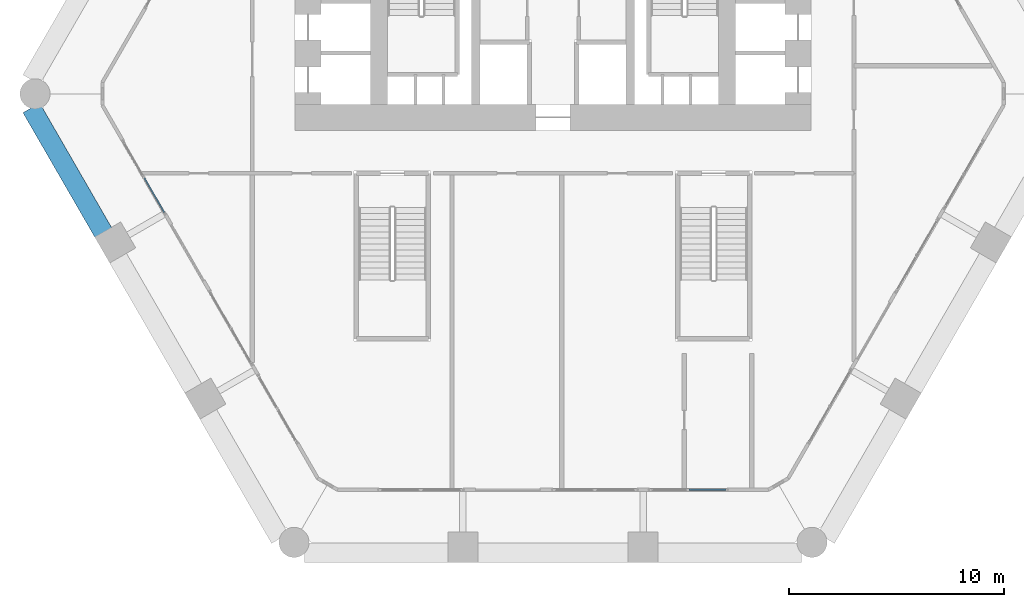
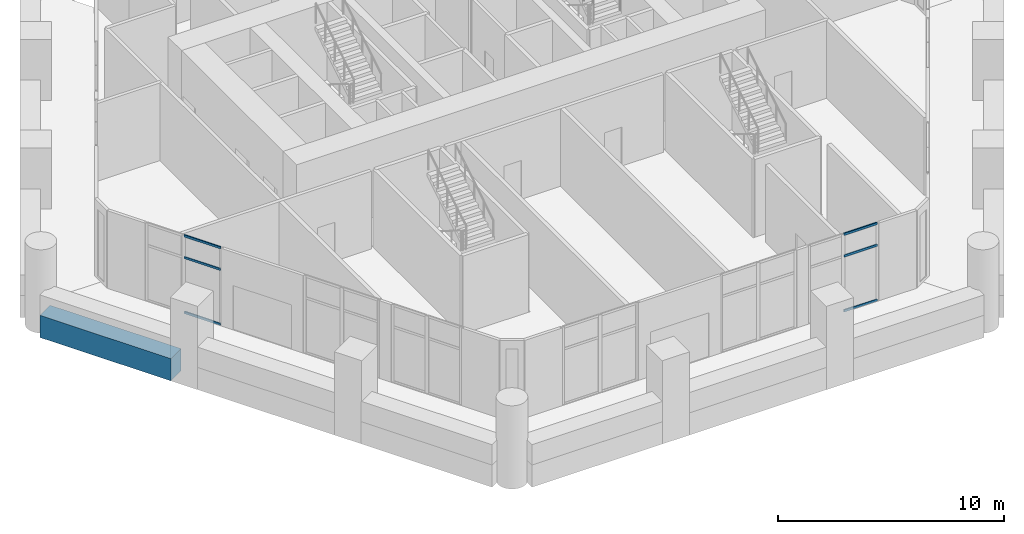
# One storey, part 4 of 18: 6 members, 1 beam, 2 elements without a shape of their own.
"""IFC4 building model written with IfcOpenShell, lengths in metres."""

import ifcopenshell
import ifcopenshell.guid

model = None  # the IFC model being written
_history = None  # IfcOwnerHistory: only IFC2X3 demands one
_inside = {}  # id of a spatial element -> (the spatial element, [elements in it])
_under = {}  # id of a project, library or spatial element -> (it, [spatial elements below it])
_declared = {}  # id of a project -> (the project, [libraries it declares])
_typed = {}  # id of a type object -> (the type object, [elements of that type])
_made_of = {}  # id of a material, layer set ... -> (it, [elements and type objects made of it])


def new_model(schema):
    """Start an empty IFC model of exactly this schema.

    Asked for "IFC4X3", IfcOpenShell would pick the latest addendum, in which some entities
    have other attributes; the version numbers below select the first issue.
    IFC2X3 requires an IfcOwnerHistory on every rooted entity: one is made here for all.
    """
    global model, _history
    if schema == "IFC4X3":
        model = ifcopenshell.file(schema_version=(4, 3, 0, 0))
    else:
        model = ifcopenshell.file(schema=schema)
    _inside.clear()
    _under.clear()
    _declared.clear()
    _typed.clear()
    _made_of.clear()
    _history = None
    if model.schema == "IFC2X3":
        org = make("IfcOrganization", Name="unknown")
        user = make(
            "IfcPersonAndOrganization",
            ThePerson=make("IfcPerson", FamilyName="unknown"),
            TheOrganization=org,
        )
        app = make(
            "IfcApplication",
            ApplicationDeveloper=org,
            Version="unknown",
            ApplicationFullName="unknown",
            ApplicationIdentifier="unknown",
        )
        _history = make(
            "IfcOwnerHistory",
            OwningUser=user,
            OwningApplication=app,
            ChangeAction="ADDED",
            CreationDate=0,
        )
    return model


def make(cls, **values):
    """One entity of the class cls with the attributes given. An attribute that is None is left unset."""
    return model.create_entity(
        cls, **{name: value for name, value in values.items() if value is not None}
    )


def rooted(cls, **values):
    """An entity with a GlobalId (a new one), such as an element, a storey or a relation."""
    return make(cls, GlobalId=ifcopenshell.guid.new(), OwnerHistory=_history, **values)


def si_unit(unit_type, name, prefix=None):
    """IfcSIUnit, for example si_unit("LENGTHUNIT", "METRE", prefix="MILLI")."""
    return make("IfcSIUnit", UnitType=unit_type, Prefix=prefix, Name=name)


def assignment(units):
    """IfcUnitAssignment: the units of a project."""
    return None if units is None else make("IfcUnitAssignment", Units=units)


def point(xyz):
    """IfcCartesianPoint."""
    return None if xyz is None else make("IfcCartesianPoint", Coordinates=xyz)


def direction(xyz):
    """IfcDirection."""
    return None if xyz is None else make("IfcDirection", DirectionRatios=xyz)


def frame(location, z_axis=None, x_axis=None):
    """IfcAxis2Placement3D, a coordinate frame: its origin and axes. An axis left out is left unset."""
    return make(
        "IfcAxis2Placement3D",
        Location=point(location),
        Axis=direction(z_axis),
        RefDirection=direction(x_axis),
    )


def frame_2d(location, x_axis=None):
    """IfcAxis2Placement2D, a coordinate frame in the plane: its origin and x axis."""
    return make(
        "IfcAxis2Placement2D", Location=point(location), RefDirection=direction(x_axis)
    )


def origin():
    """The frame at (0, 0, 0) with its axes left unset."""
    return frame((0.0, 0.0, 0.0))


def origin_2d():
    """The frame at (0, 0) in the plane with its x axis left unset."""
    return frame_2d((0.0, 0.0))


def place(relative_to, where):
    """IfcLocalPlacement: puts the frame where relative to a parent placement (None: the world)."""
    return make(
        "IfcLocalPlacement", PlacementRelTo=relative_to, RelativePlacement=where
    )


def context(
    kind, dimensions, precision=None, world=None, true_north=None, identifier=None
):
    """IfcGeometricRepresentationContext, for example the 3D "Model" context."""
    return make(
        "IfcGeometricRepresentationContext",
        ContextIdentifier=identifier,
        ContextType=kind,
        CoordinateSpaceDimension=dimensions,
        Precision=precision,
        WorldCoordinateSystem=world,
        TrueNorth=true_north,
    )


def subcontext(parent, identifier, kind, view, scale=None):
    """IfcGeometricRepresentationSubContext, for example "Body" below "Model"."""
    return make(
        "IfcGeometricRepresentationSubContext",
        ContextIdentifier=identifier,
        ContextType=kind,
        ParentContext=parent,
        TargetScale=scale,
        TargetView=view,
    )


def project(units=None, contexts=None):
    """IfcProject with its units and contexts."""
    return rooted(
        "IfcProject",
        Name="project",
        RepresentationContexts=contexts,
        UnitsInContext=assignment(units),
    )


def spatial(cls, under=None, at=None, **own):
    """A site, building, storey or space (cls), placed at a placement, below another one or the project."""
    s = rooted(cls, ObjectPlacement=at, **own)
    if under is not None:
        _under.setdefault(under.id(), (under, []))[1].append(s)
    return s


def profile(cls, at=None, kind="AREA", **sizes):
    """A parametric profile (cls). Its sizes go by their IFC names, for example OverallWidth=200.0."""
    return make(cls, ProfileType=kind, Position=at, **sizes)


def rectangle(**sizes):
    """IfcRectangleProfileDef."""
    return profile("IfcRectangleProfileDef", **sizes)


def hollow_rectangle(**sizes):
    """IfcRectangleHollowProfileDef."""
    return profile("IfcRectangleHollowProfileDef", **sizes)


def extrude(swept, where, along, depth):
    """IfcExtrudedAreaSolid: the profile swept, set in the frame where, extruded along a direction by depth."""
    return make(
        "IfcExtrudedAreaSolid",
        SweptArea=swept,
        Position=where,
        ExtrudedDirection=direction(along),
        Depth=depth,
    )


def shape(context_of_items, identifier, shape_type, items):
    """IfcShapeRepresentation: the items that make up one representation, for example the "Body"."""
    return make(
        "IfcShapeRepresentation",
        ContextOfItems=context_of_items,
        RepresentationIdentifier=identifier,
        RepresentationType=shape_type,
        Items=items,
    )


def material(Name=None, Category=None):
    """IfcMaterial."""
    return make("IfcMaterial", Name=Name, Category=Category)


def material_profile(
    of_material, cross_section, Name=None, Category=None, Priority=None
):
    """IfcMaterialProfile: a cross section and its material."""
    return make(
        "IfcMaterialProfile",
        Name=Name,
        Material=of_material,
        Profile=cross_section,
        Priority=Priority,
        Category=Category,
    )


def profile_set(profiles, Name=None, composite=None):
    """IfcMaterialProfileSet."""
    return make(
        "IfcMaterialProfileSet",
        Name=Name,
        MaterialProfiles=profiles,
        CompositeProfile=composite,
    )


def made_of(thing, what):
    """Note that an element or type object is made of a material, layer set ...; save() writes the relation."""
    if what is not None:
        _made_of.setdefault(what.id(), (what, []))[1].append(thing)
    return thing


def type_object(cls, material=None, **own):
    """A type object (cls), such as IfcWallType, which elements share."""
    return made_of(rooted(cls, **own), material)


def element(
    cls,
    number,
    at=None,
    inside=None,
    cuts=None,
    type_object=None,
    material=None,
    context=None,
    identifier="Body",
    shape_type=None,
    held_by="IfcProductDefinitionShape",
    body=None,
    shapes=None,
    **own,
):
    """One element of the class cls, such as IfcWall. Its Tag is "e" and its number.

    at: its placement. inside: the storey or other place that contains it. cuts: it is an
    opening in that element (IfcRelVoidsElement). A single representation is given by context,
    identifier, shape_type and body (its items); several are given by shapes. held_by: the class
    of the entity that holds the representations. save() writes the other relations.
    """
    e = rooted(cls, Tag="e%d" % number, ObjectPlacement=at, **own)
    if body is not None:
        shapes = [shape(context, identifier, shape_type, body)]
    if shapes is not None:
        e.Representation = make(held_by, Representations=shapes)
    if inside is not None:
        _inside.setdefault(inside.id(), (inside, []))[1].append(e)
    if cuts is not None:
        rooted(
            "IfcRelVoidsElement", RelatingBuildingElement=cuts, RelatedOpeningElement=e
        )
    if type_object is not None:
        _typed.setdefault(type_object.id(), (type_object, []))[1].append(e)
    return made_of(e, material)


def aggregate(whole, parts):
    """IfcRelAggregates: a whole, such as a stair, and the parts it consists of."""
    return rooted("IfcRelAggregates", RelatingObject=whole, RelatedObjects=parts)


def save(model, path):
    """Write the relations noted so far, then the file.

    IfcRelAggregates (storeys below a building ...), IfcRelContainedInSpatialStructure (elements
    in a storey), IfcRelDefinesByType, IfcRelAssociatesMaterial and IfcRelDeclares: one each for
    every whole, place, type object, material and project.
    """
    for whole, parts in _under.values():
        aggregate(whole, parts)
    for where, things in _inside.values():
        rooted(
            "IfcRelContainedInSpatialStructure",
            RelatedElements=things,
            RelatingStructure=where,
        )
    for kind, things in _typed.values():
        rooted("IfcRelDefinesByType", RelatedObjects=things, RelatingType=kind)
    for what, things in _made_of.values():
        rooted("IfcRelAssociatesMaterial", RelatedObjects=things, RelatingMaterial=what)
    for by, libraries in _declared.values():
        rooted("IfcRelDeclares", RelatingContext=by, RelatedDefinitions=libraries)
    model.write(path)


model = new_model("IFC4")

# Units and contexts
model_context = context("Model", 3, precision=1e-05, world=origin(), true_north=direction((0.0, 1.0)))
body_context = subcontext(model_context, "Body", "Model", "MODEL_VIEW")
ifc_project = project(units=[si_unit("LENGTHUNIT", "METRE"), si_unit("AREAUNIT", "SQUARE_METRE"), si_unit("VOLUMEUNIT", "CUBIC_METRE"), si_unit("PLANEANGLEUNIT", "RADIAN"), si_unit("MASSUNIT", "GRAM", prefix="KILO")], contexts=[model_context])

# Site, building, storey
site_placement = place(None, origin())
site = spatial("IfcSite", under=ifc_project, at=site_placement, CompositionType="ELEMENT")
building_placement = place(site_placement, origin())
building = spatial("IfcBuilding", under=site, at=building_placement, Name="Ostrander Bayou Hotel Tower", CompositionType="ELEMENT")
storey_placement = place(building_placement, frame((0.0, 0.0, 14.5)))
storey = spatial("IfcBuildingStorey", under=building, at=storey_placement, Name="L03", CompositionType="ELEMENT", Elevation=14.5)

# Curtain wall, members
ifc_material_1 = material(Name="Aluminium and clear glass", Category="aluminium")
curtain_wall_type = type_object("IfcCurtainWallType", Name="CW-SKY amenity glass wall", PredefinedType="NOTDEFINED", material=ifc_material_1)
curtain_wall_1_placement = place(storey_placement, origin())
curtain_wall_1 = element("IfcCurtainWall", 1, at=curtain_wall_1_placement, inside=storey, type_object=curtain_wall_type, Name="CW-SKY L03 SW 1", PredefinedType="NOTDEFINED")
ifc_material_2 = material(Name="Aluminium", Category="aluminium")
ifc_material_profile_1 = material_profile(ifc_material_2, hollow_rectangle(XDim=0.06005859375, YDim=0.1201171875, WallThickness=0.00390625, at=origin_2d()))
ifc_profile_set_1 = profile_set([ifc_material_profile_1], Name="Aluminium")
member_type = type_object("IfcMemberType", Name="CW-SK transom 60 x 120 mm", PredefinedType="USERDEFINED", material=ifc_profile_set_1)
member_1_placement = place(storey_placement, frame((-19.0166015625, -3.912353515625, 0.030029296875), z_axis=(0.500063286585, -0.865988862174, 0.0), x_axis=(0.865988862174, 0.500063286585, 0.0)))
member_1 = element("IfcMember", 2, at=member_1_placement, type_object=member_type, Name="CW-SKY transom 2.1", ObjectType="TRANSOM", PredefinedType="USERDEFINED", context=body_context, shape_type="SweptSolid", body=[
    extrude(hollow_rectangle(XDim=0.06005859375, YDim=0.1201171875, WallThickness=0.00390625, at=origin_2d()), origin(), (0.0, 0.0, 1.0), 1.860107421875),
])
member_2_placement = place(storey_placement, frame((-19.0166015625, -3.912353515625, 3.0), z_axis=(0.500063286585, -0.865988862174, 0.0), x_axis=(0.865988862174, 0.500063286585, 0.0)))
member_2 = element("IfcMember", 3, at=member_2_placement, type_object=member_type, Name="CW-SKY transom 2.2", ObjectType="TRANSOM", PredefinedType="USERDEFINED", context=body_context, shape_type="SweptSolid", body=[
    extrude(hollow_rectangle(XDim=0.06005859375, YDim=0.1201171875, WallThickness=0.00390625, at=origin_2d()), origin(), (0.0, 0.0, 1.0), 1.860107421875),
])
member_3_placement = place(storey_placement, frame((-19.0166015625, -3.912353515625, 4.169921875), z_axis=(0.500063286585, -0.865988862174, 0.0), x_axis=(0.865988862174, 0.500063286585, 0.0)))
member_3 = element("IfcMember", 4, at=member_3_placement, type_object=member_type, Name="CW-SKY transom 2.3", ObjectType="TRANSOM", PredefinedType="USERDEFINED", context=body_context, shape_type="SweptSolid", body=[
    extrude(hollow_rectangle(XDim=0.06005859375, YDim=0.1201171875, WallThickness=0.00390625, at=origin_2d()), origin(), (0.0, 0.0, 1.0), 1.860107421875),
])
aggregate(curtain_wall_1, [member_1, member_2, member_3])

curtain_wall_2_placement = place(storey_placement, origin())
curtain_wall_2 = element("IfcCurtainWall", 5, at=curtain_wall_2_placement, inside=storey, type_object=curtain_wall_type, Name="CW-SKY L03 S 4", PredefinedType="NOTDEFINED")
member_4_placement = place(storey_placement, frame((6.330078125, -18.425048828125, 0.030029296875), z_axis=(1.0, 0.0, 0.0), x_axis=(0.0, 1.0, 0.0)))
member_4 = element("IfcMember", 6, at=member_4_placement, type_object=member_type, Name="CW-SKY transom 2.1", ObjectType="TRANSOM", PredefinedType="USERDEFINED", context=body_context, shape_type="SweptSolid", body=[
    extrude(hollow_rectangle(XDim=0.06005859375, YDim=0.1201171875, WallThickness=0.00390625, at=origin_2d()), origin(), (0.0, 0.0, 1.0), 1.7099609375),
])
member_5_placement = place(storey_placement, frame((6.330078125, -18.425048828125, 3.0), z_axis=(1.0, 0.0, 0.0), x_axis=(0.0, 1.0, 0.0)))
member_5 = element("IfcMember", 7, at=member_5_placement, type_object=member_type, Name="CW-SKY transom 2.2", ObjectType="TRANSOM", PredefinedType="USERDEFINED", context=body_context, shape_type="SweptSolid", body=[
    extrude(hollow_rectangle(XDim=0.06005859375, YDim=0.1201171875, WallThickness=0.00390625, at=origin_2d()), origin(), (0.0, 0.0, 1.0), 1.7099609375),
])
member_6_placement = place(storey_placement, frame((6.330078125, -18.425048828125, 4.169921875), z_axis=(1.0, 0.0, 0.0), x_axis=(0.0, 1.0, 0.0)))
member_6 = element("IfcMember", 8, at=member_6_placement, type_object=member_type, Name="CW-SKY transom 2.3", ObjectType="TRANSOM", PredefinedType="USERDEFINED", context=body_context, shape_type="SweptSolid", body=[
    extrude(hollow_rectangle(XDim=0.06005859375, YDim=0.1201171875, WallThickness=0.00390625, at=origin_2d()), origin(), (0.0, 0.0, 1.0), 1.7099609375),
])
aggregate(curtain_wall_2, [member_4, member_5, member_6])

# Beam
ifc_material_3 = material(Name="Concrete f'c 70 MPa", Category="concrete")
ifc_material_profile_2 = material_profile(ifc_material_3, rectangle(XDim=0.89990234375, YDim=1.199951171875, at=origin_2d()))
ifc_profile_set_2 = profile_set([ifc_material_profile_2], Name="Concrete f'c 70 MPa")
beam_type = type_object("IfcBeamType", Name="SP1 spandrel beam 900 x 1200 mm f'c 70 MPa", PredefinedType="SPANDREL", material=ifc_profile_set_2)
beam_placement = place(storey_placement, frame((-24.274169921875, -0.656005859375, -0.60009765625), z_axis=(0.500005133765, -0.866022439784, 0.0), x_axis=(0.866022439784, 0.500005133765, 0.0)))
element("IfcBeam", 9, at=beam_placement, inside=storey, type_object=beam_type, Name="SP1 L03 SW-1", PredefinedType="SPANDREL", context=body_context, shape_type="SweptSolid", body=[
    extrude(rectangle(XDim=0.89990234375, YDim=1.199951171875, at=origin_2d()), origin(), (0.0, 0.0, 1.0), 6.70361328125),
])

save(model, "model.ifc")
